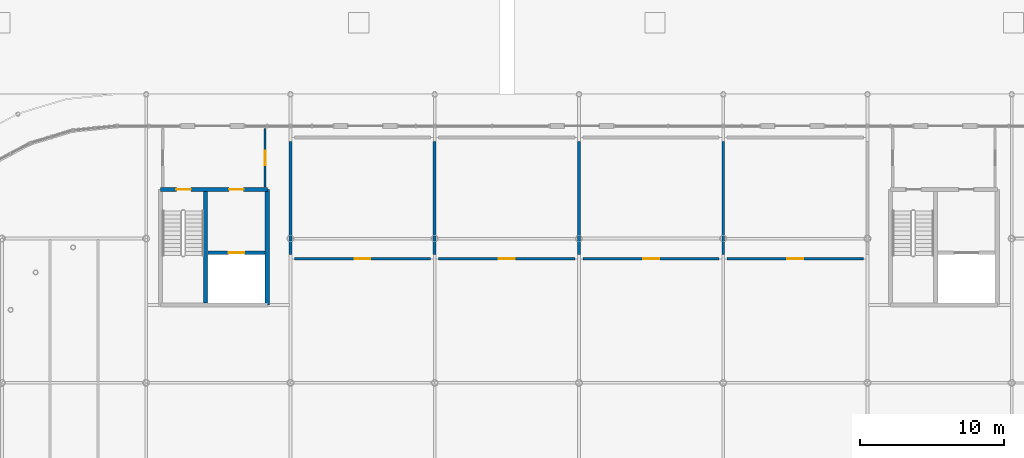
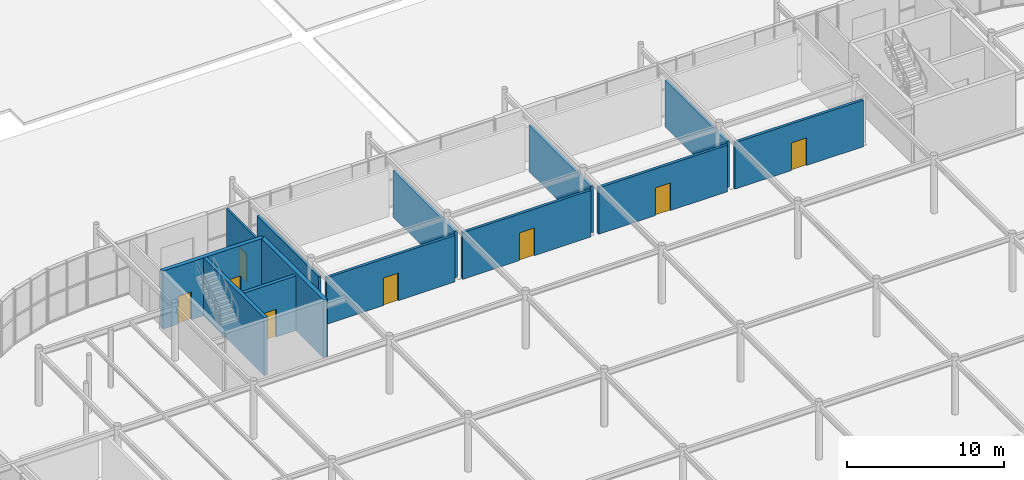
# One storey, part 89 of 119: 13 walls, 8 doors, 8 openings.
"""IFC4 building model written with IfcOpenShell, lengths in metres."""

from ifc_helpers import new_model, si_unit, derived_unit, direction, frame, frame_2d, origin, place, context, subcontext, project, spatial, rectangle, extrude, material, layer, layer_set, type_object, element, fill, save


model = new_model("IFC4")

# Units and contexts
model_context = context("Model", 3, precision=1e-05, world=origin(), true_north=direction((0.0, 1.0)))
body_context = subcontext(model_context, "Body", "Model", "MODEL_VIEW")
ifc_project = project(units=[si_unit("LENGTHUNIT", "METRE"), si_unit("AREAUNIT", "SQUARE_METRE"), si_unit("VOLUMEUNIT", "CUBIC_METRE"), si_unit("PLANEANGLEUNIT", "RADIAN"), si_unit("MASSUNIT", "GRAM", prefix="KILO"), derived_unit("THERMALTRANSMITTANCEUNIT", [(si_unit("POWERUNIT", "WATT"), 1), (si_unit("LENGTHUNIT", "METRE"), -2), (si_unit("THERMODYNAMICTEMPERATUREUNIT", "KELVIN"), -1)])], contexts=[model_context])

# Site, building, storey
site_placement = place(None, origin())
site = spatial("IfcSite", under=ifc_project, at=site_placement, CompositionType="ELEMENT")
building_placement = place(site_placement, origin())
building = spatial("IfcBuilding", under=site, at=building_placement, Name="Cinnabar Yard Market Hall", CompositionType="ELEMENT")
storey_placement = place(building_placement, origin())
storey = spatial("IfcBuildingStorey", under=building, at=storey_placement, Name="L00", CompositionType="ELEMENT", Elevation=0.0)

# Wall, opening, door
ifc_material_1 = material(Name="Fire-rated steel-stud plasterboard", Category="steel")
ifc_layer_1 = layer(ifc_material_1, 0.14990234375)
ifc_layer_set_1 = layer_set([ifc_layer_1], Name="Fire-rated steel-stud plasterboard")
wall_type_1 = type_object("IfcWallType", Name="WL-PT150", PredefinedType="PARTITIONING", material=ifc_layer_set_1)
wall_1_placement = place(storey_placement, frame((94.25, 67.580078125, 0.0), z_axis=(0.0, 0.0, 1.0), x_axis=(0.0, 1.0, 0.0)))
wall_1 = element("IfcWall", 1, at=wall_1_placement, inside=storey, type_object=wall_type_1, Name="Protected Exit Lobby C3 E", PredefinedType="PARTITIONING", context=body_context, shape_type="SweptSolid", body=[
    extrude(rectangle(XDim=4.0400390625, YDim=0.14990234375, at=frame_2d((2.02001953125, 0.0), x_axis=(1.0, 0.0))), origin(), (0.0, 0.0, 1.0), 4.199951171875),
])
opening_1_placement = place(wall_1_placement, frame((1.52001953125, 0.0, 0.0)))
opening_1 = element("IfcOpeningElement", 2, at=opening_1_placement, cuts=wall_1, Name="Opening CD-086", PredefinedType="OPENING", context=body_context, shape_type="SweptSolid", body=[
    extrude(rectangle(XDim=1.0, YDim=2.14990234375, at=frame_2d((0.5, 1.074951171875), x_axis=(1.0, 0.0))), frame((0.0, 0.0849609375, 0.0), z_axis=(0.0, -1.0, 0.0), x_axis=(1.0, 0.0, 0.0)), (0.0, 0.0, 1.0), 0.169921875),
])
ifc_material_2 = material(Name="Solid-core spotted gum timber", Category="wood")
door_type_1 = type_object("IfcDoorType", Name="DR-D05", OperationType="NOTDEFINED", PredefinedType="DOOR", material=ifc_material_2)
door_1_placement = place(opening_1_placement, origin())
door_1 = element("IfcDoor", 3, at=door_1_placement, inside=storey, type_object=door_type_1, Name="Exit Lobby Door CD-086", OperationType="SINGLE_SWING_RIGHT", OverallHeight=2.14990234375, OverallWidth=1.0, PredefinedType="DOOR", context=body_context, shape_type="SweptSolid", body=[
    extrude(rectangle(XDim=1.0, YDim=2.14990234375, at=frame_2d((0.5, 1.074951171875), x_axis=(1.0, 0.0))), frame((0.0, 0.02490234375, 0.0), z_axis=(0.0, -1.0, 0.0), x_axis=(1.0, 0.0, 0.0)), (0.0, 0.0, 1.0), 0.050048828125),
])
fill(opening_1, door_1)

ifc_material_3 = material(Name="Demountable timber-framed stall partition", Category="wood")
ifc_layer_2 = layer(ifc_material_3, 0.199951171875)
ifc_layer_set_2 = layer_set([ifc_layer_2], Name="Demountable timber-framed stall partition")
wall_type_2 = type_object("IfcWallType", Name="WL-PT200", PredefinedType="MOVABLE", material=ifc_layer_set_2)
wall_2_placement = place(storey_placement, frame((96.280029296875, 62.60009765625, 0.0), z_axis=(0.0, 0.0, 1.0), x_axis=(1.0, 0.0, 0.0)))
wall_2 = element("IfcWall", 4, at=wall_2_placement, inside=storey, type_object=wall_type_2, Name="Partition Spice and Herb Stall 05 south", PredefinedType="MOVABLE", context=body_context, shape_type="SweptSolid", body=[
    extrude(rectangle(XDim=9.43994140625, YDim=0.199951171875, at=frame_2d((4.719970703125, 0.0), x_axis=(1.0, 0.0))), origin(), (0.0, 0.0, 1.0), 3.6201171875),
])
opening_2_placement = place(wall_2_placement, frame((4.169921875, 0.0, 0.0)))
opening_2 = element("IfcOpeningElement", 5, at=opening_2_placement, cuts=wall_2, Name="Opening ID-115", PredefinedType="OPENING", context=body_context, shape_type="SweptSolid", body=[
    extrude(rectangle(XDim=1.10009765625, YDim=2.14990234375, at=frame_2d((0.550048828125, 1.074951171875), x_axis=(1.0, 0.0))), frame((0.0, 0.10986328125, 0.0), z_axis=(0.0, -1.0, 0.0), x_axis=(1.0, 0.0, 0.0)), (0.0, 0.0, 1.0), 0.219970703125),
])
ifc_material_4 = material(Name="Anodised aluminium and acoustic glass", Category="aluminium")
door_type_2 = type_object("IfcDoorType", Name="DR-D09", OperationType="NOTDEFINED", PredefinedType="DOOR", material=ifc_material_4)
door_2_placement = place(opening_2_placement, origin())
door_2 = element("IfcDoor", 6, at=door_2_placement, inside=storey, type_object=door_type_2, Name="Interior Door ID-115", OperationType="SLIDING_TO_LEFT", OverallHeight=2.14990234375, OverallWidth=1.10009765625, PredefinedType="DOOR", context=body_context, shape_type="SweptSolid", body=[
    extrude(rectangle(XDim=1.10009765625, YDim=2.14990234375, at=frame_2d((0.550048828125, 1.074951171875), x_axis=(1.0, 0.0))), frame((0.0, 0.02490234375, 0.0), z_axis=(0.0, -1.0, 0.0), x_axis=(1.0, 0.0, 0.0)), (0.0, 0.0, 1.0), 0.050048828125),
])
fill(opening_2, door_2)

# Walls
for number, where, z_axis, x_axis, name in (
    (7, (106.0, 62.8798828125, 0.0), (0.0, 0.0, 1.0), (0.0, 1.0, 0.0), "Partition Spice and Herb Stall 05 east"),
    (8, (96.0, 70.719970703125, 0.0), (0.0, 0.0, 1.0), (0.0, -1.0, 0.0), "Partition Spice and Herb Stall 05 west"),
):
    element("IfcWall", number, at=place(storey_placement, frame(where, z_axis=z_axis, x_axis=x_axis)), inside=storey, type_object=wall_type_2, Name=name, PredefinedType="MOVABLE", context=body_context, shape_type="SweptSolid", body=[
        extrude(rectangle(XDim=7.840087890625, YDim=0.199951171875, at=frame_2d((3.919921875, 0.0), x_axis=(1.0, 0.0))), origin(), (0.0, 0.0, 1.0), 3.6201171875),
    ])

# Wall, opening, door
wall_3_placement = place(storey_placement, frame((106.280029296875, 62.60009765625, 0.0), z_axis=(0.0, 0.0, 1.0), x_axis=(1.0, 0.0, 0.0)))
wall_3 = element("IfcWall", 9, at=wall_3_placement, inside=storey, type_object=wall_type_2, Name="Partition South Australian Honey and Nut Stall 06 south", PredefinedType="MOVABLE", context=body_context, shape_type="SweptSolid", body=[
    extrude(rectangle(XDim=9.43994140625, YDim=0.199951171875, at=frame_2d((4.719970703125, 0.0), x_axis=(1.0, 0.0))), origin(), (0.0, 0.0, 1.0), 3.6201171875),
])
opening_3_placement = place(wall_3_placement, frame((4.169921875, 0.0, 0.0)))
opening_3 = element("IfcOpeningElement", 10, at=opening_3_placement, cuts=wall_3, Name="Opening ID-116", PredefinedType="OPENING", context=body_context, shape_type="SweptSolid", body=[
    extrude(rectangle(XDim=1.10009765625, YDim=2.14990234375, at=frame_2d((0.550048828125, 1.074951171875), x_axis=(1.0, 0.0))), frame((0.0, 0.10986328125, 0.0), z_axis=(0.0, -1.0, 0.0), x_axis=(1.0, 0.0, 0.0)), (0.0, 0.0, 1.0), 0.219970703125),
])
door_3_placement = place(opening_3_placement, origin())
door_3 = element("IfcDoor", 11, at=door_3_placement, inside=storey, type_object=door_type_2, Name="Interior Door ID-116", OperationType="SLIDING_TO_LEFT", OverallHeight=2.14990234375, OverallWidth=1.10009765625, PredefinedType="DOOR", context=body_context, shape_type="SweptSolid", body=[
    extrude(rectangle(XDim=1.10009765625, YDim=2.14990234375, at=frame_2d((0.550048828125, 1.074951171875), x_axis=(1.0, 0.0))), frame((0.0, 0.02490234375, 0.0), z_axis=(0.0, -1.0, 0.0), x_axis=(1.0, 0.0, 0.0)), (0.0, 0.0, 1.0), 0.050048828125),
])
fill(opening_3, door_3)

# Wall
wall_4_placement = place(storey_placement, frame((116.0, 62.8798828125, 0.0), z_axis=(0.0, 0.0, 1.0), x_axis=(0.0, 1.0, 0.0)))
element("IfcWall", 12, at=wall_4_placement, inside=storey, type_object=wall_type_2, Name="Partition South Australian Honey and Nut Stall 06 east", PredefinedType="MOVABLE", context=body_context, shape_type="SweptSolid", body=[
    extrude(rectangle(XDim=7.840087890625, YDim=0.199951171875, at=frame_2d((3.919921875, 0.0), x_axis=(1.0, 0.0))), origin(), (0.0, 0.0, 1.0), 3.6201171875),
])

# Wall, opening, door
wall_5_placement = place(storey_placement, frame((116.280029296875, 62.60009765625, 0.0), z_axis=(0.0, 0.0, 1.0), x_axis=(1.0, 0.0, 0.0)))
wall_5 = element("IfcWall", 13, at=wall_5_placement, inside=storey, type_object=wall_type_2, Name="Partition Farmstead Dairy Stall 07 south", PredefinedType="MOVABLE", context=body_context, shape_type="SweptSolid", body=[
    extrude(rectangle(XDim=9.43994140625, YDim=0.199951171875, at=frame_2d((4.719970703125, 0.0), x_axis=(1.0, 0.0))), origin(), (0.0, 0.0, 1.0), 3.6201171875),
])
opening_4_placement = place(wall_5_placement, frame((4.169921875, 0.0, 0.0)))
opening_4 = element("IfcOpeningElement", 14, at=opening_4_placement, cuts=wall_5, Name="Opening ID-117", PredefinedType="OPENING", context=body_context, shape_type="SweptSolid", body=[
    extrude(rectangle(XDim=1.10009765625, YDim=2.14990234375, at=frame_2d((0.550048828125, 1.074951171875), x_axis=(1.0, 0.0))), frame((0.0, 0.10986328125, 0.0), z_axis=(0.0, -1.0, 0.0), x_axis=(1.0, 0.0, 0.0)), (0.0, 0.0, 1.0), 0.219970703125),
])
door_4_placement = place(opening_4_placement, origin())
door_4 = element("IfcDoor", 15, at=door_4_placement, inside=storey, type_object=door_type_2, Name="Interior Door ID-117", OperationType="SLIDING_TO_LEFT", OverallHeight=2.14990234375, OverallWidth=1.10009765625, PredefinedType="DOOR", context=body_context, shape_type="SweptSolid", body=[
    extrude(rectangle(XDim=1.10009765625, YDim=2.14990234375, at=frame_2d((0.550048828125, 1.074951171875), x_axis=(1.0, 0.0))), frame((0.0, 0.02490234375, 0.0), z_axis=(0.0, -1.0, 0.0), x_axis=(1.0, 0.0, 0.0)), (0.0, 0.0, 1.0), 0.050048828125),
])
fill(opening_4, door_4)

# Wall
wall_6_placement = place(storey_placement, frame((126.0, 62.8798828125, 0.0), z_axis=(0.0, 0.0, 1.0), x_axis=(0.0, 1.0, 0.0)))
element("IfcWall", 16, at=wall_6_placement, inside=storey, type_object=wall_type_2, Name="Partition Farmstead Dairy Stall 07 east", PredefinedType="MOVABLE", context=body_context, shape_type="SweptSolid", body=[
    extrude(rectangle(XDim=7.840087890625, YDim=0.199951171875, at=frame_2d((3.919921875, 0.0), x_axis=(1.0, 0.0))), origin(), (0.0, 0.0, 1.0), 3.6201171875),
])

# Wall, opening, door
wall_7_placement = place(storey_placement, frame((126.280029296875, 62.60009765625, 0.0), z_axis=(0.0, 0.0, 1.0), x_axis=(1.0, 0.0, 0.0)))
wall_7 = element("IfcWall", 17, at=wall_7_placement, inside=storey, type_object=wall_type_2, Name="Partition Seafood and Oyster Stall 08 south", PredefinedType="MOVABLE", context=body_context, shape_type="SweptSolid", body=[
    extrude(rectangle(XDim=9.43994140625, YDim=0.199951171875, at=frame_2d((4.719970703125, 0.0), x_axis=(1.0, 0.0))), origin(), (0.0, 0.0, 1.0), 3.6201171875),
])
opening_5_placement = place(wall_7_placement, frame((4.169921875, 0.0, 0.0)))
opening_5 = element("IfcOpeningElement", 18, at=opening_5_placement, cuts=wall_7, Name="Opening ID-118", PredefinedType="OPENING", context=body_context, shape_type="SweptSolid", body=[
    extrude(rectangle(XDim=1.10009765625, YDim=2.14990234375, at=frame_2d((0.550048828125, 1.074951171875), x_axis=(1.0, 0.0))), frame((0.0, 0.10986328125, 0.0), z_axis=(0.0, -1.0, 0.0), x_axis=(1.0, 0.0, 0.0)), (0.0, 0.0, 1.0), 0.219970703125),
])
door_5_placement = place(opening_5_placement, origin())
door_5 = element("IfcDoor", 19, at=door_5_placement, inside=storey, type_object=door_type_2, Name="Interior Door ID-118", OperationType="SLIDING_TO_LEFT", OverallHeight=2.14990234375, OverallWidth=1.10009765625, PredefinedType="DOOR", context=body_context, shape_type="SweptSolid", body=[
    extrude(rectangle(XDim=1.10009765625, YDim=2.14990234375, at=frame_2d((0.550048828125, 1.074951171875), x_axis=(1.0, 0.0))), frame((0.0, 0.02490234375, 0.0), z_axis=(0.0, -1.0, 0.0), x_axis=(1.0, 0.0, 0.0)), (0.0, 0.0, 1.0), 0.050048828125),
])
fill(opening_5, door_5)

# Wall
ifc_material_5 = material(Name="Concrete 40 MPa", Category="concrete")
ifc_layer_3 = layer(ifc_material_5, 0.300048828125)
ifc_layer_set_3 = layer_set([ifc_layer_3], Name="Concrete 40 MPa")
wall_type_3 = type_object("IfcWallType", Name="WL-W-CORE", PredefinedType="SHEAR", material=ifc_layer_set_3)
wall_8_placement = place(storey_placement, frame((94.39990234375, 59.39990234375, 0.0), z_axis=(0.0, 0.0, 1.0), x_axis=(0.0, 1.0, 0.0)))
element("IfcWall", 20, at=wall_8_placement, inside=storey, type_object=wall_type_3, Name="Core C3 East Shear Wall L00", PredefinedType="SHEAR", context=body_context, shape_type="SweptSolid", body=[
    extrude(rectangle(XDim=8.0, YDim=0.300048828125, at=frame_2d((4.0, 0.0), x_axis=(1.0, 0.0))), origin(), (0.0, 0.0, 1.0), 4.5),
])

# Wall, openings, doors
wall_9_placement = place(storey_placement, frame((94.39990234375, 67.39990234375, 0.0), z_axis=(0.0, 0.0, 1.0), x_axis=(-1.0, 0.0, 0.0)))
wall_9 = element("IfcWall", 21, at=wall_9_placement, inside=storey, type_object=wall_type_3, Name="Core C3 North Shear Wall L00", PredefinedType="SHEAR", context=body_context, shape_type="SweptSolid", body=[
    extrude(rectangle(XDim=7.39990234375, YDim=0.300048828125, at=frame_2d((3.699951171875, 0.0), x_axis=(1.0, 0.0))), origin(), (0.0, 0.0, 1.0), 4.5),
])
opening_6_placement = place(wall_9_placement, frame((1.64990234375, 0.0, 0.0)))
opening_6 = element("IfcOpeningElement", 22, at=opening_6_placement, cuts=wall_9, Name="Opening CD-019", PredefinedType="OPENING", context=body_context, shape_type="SweptSolid", body=[
    extrude(rectangle(XDim=1.0, YDim=2.14990234375, at=frame_2d((0.5, 1.074951171875), x_axis=(1.0, 0.0))), frame((0.0, 0.159912109375, 0.0), z_axis=(0.0, -1.0, 0.0), x_axis=(1.0, 0.0, 0.0)), (0.0, 0.0, 1.0), 0.320068359375),
])
opening_7_placement = place(wall_9_placement, frame((5.300048828125, 0.0, 0.0)))
opening_7 = element("IfcOpeningElement", 23, at=opening_7_placement, cuts=wall_9, Name="Opening CD-020", PredefinedType="OPENING", context=body_context, shape_type="SweptSolid", body=[
    extrude(rectangle(XDim=1.0, YDim=2.14990234375, at=frame_2d((0.5, 1.074951171875), x_axis=(1.0, 0.0))), frame((0.0, 0.159912109375, 0.0), z_axis=(0.0, -1.0, 0.0), x_axis=(1.0, 0.0, 0.0)), (0.0, 0.0, 1.0), 0.320068359375),
])
door_6_placement = place(opening_6_placement, origin())
door_6 = element("IfcDoor", 24, at=door_6_placement, inside=storey, type_object=door_type_1, Name="Core Door CD-019", OperationType="SINGLE_SWING_RIGHT", OverallHeight=2.14990234375, OverallWidth=1.0, PredefinedType="DOOR", context=body_context, shape_type="SweptSolid", body=[
    extrude(rectangle(XDim=1.0, YDim=2.14990234375, at=frame_2d((0.5, 1.074951171875), x_axis=(1.0, 0.0))), frame((0.0, 0.02490234375, 0.0), z_axis=(0.0, -1.0, 0.0), x_axis=(1.0, 0.0, 0.0)), (0.0, 0.0, 1.0), 0.050048828125),
])
fill(opening_6, door_6)
door_7_placement = place(opening_7_placement, origin())
door_7 = element("IfcDoor", 25, at=door_7_placement, inside=storey, type_object=door_type_1, Name="Core Door CD-020", OperationType="SINGLE_SWING_LEFT", OverallHeight=2.14990234375, OverallWidth=1.0, PredefinedType="DOOR", context=body_context, shape_type="SweptSolid", body=[
    extrude(rectangle(XDim=1.0, YDim=2.14990234375, at=frame_2d((0.5, 1.074951171875), x_axis=(1.0, 0.0))), frame((0.0, 0.02490234375, 0.0), z_axis=(0.0, -1.0, 0.0), x_axis=(1.0, 0.0, 0.0)), (0.0, 0.0, 1.0), 0.050048828125),
])
fill(opening_7, door_7)

# Wall
ifc_layer_4 = layer(ifc_material_5, 0.25)
ifc_layer_set_4 = layer_set([ifc_layer_4], Name="Concrete 40 MPa")
wall_type_4 = type_object("IfcWallType", Name="WL-W-SHAFT", PredefinedType="SHEAR", material=ifc_layer_set_4)
wall_10_placement = place(storey_placement, frame((90.114990234375, 59.550048828125, 0.0), z_axis=(0.0, 0.0, 1.0), x_axis=(0.0, 1.0, 0.0)))
element("IfcWall", 26, at=wall_10_placement, inside=storey, type_object=wall_type_4, Name="Core C3 Shaft Divider L00", PredefinedType="SHEAR", context=body_context, shape_type="SweptSolid", body=[
    extrude(rectangle(XDim=7.699951171875, YDim=0.25, at=frame_2d((3.85009765625, 0.0), x_axis=(1.0, 0.0))), origin(), (0.0, 0.0, 1.0), 4.5),
])

# Wall, opening, door
wall_11_placement = place(storey_placement, frame((90.280029296875, 63.02001953125, 0.0), z_axis=(0.0, 0.0, 1.0), x_axis=(1.0, 0.0, 0.0)))
wall_11 = element("IfcWall", 27, at=wall_11_placement, inside=storey, type_object=wall_type_4, Name="Core C3 Lift Front Wall L00", PredefinedType="SHEAR", context=body_context, shape_type="SweptSolid", body=[
    extrude(rectangle(XDim=3.969970703125, YDim=0.25, at=frame_2d((1.98486328125, 0.0), x_axis=(1.0, 0.0))), origin(), (0.0, 0.0, 1.0), 4.239990234375),
])
opening_8_placement = place(wall_11_placement, frame((1.43505859375, 0.0, 0.0)))
opening_8 = element("IfcOpeningElement", 28, at=opening_8_placement, cuts=wall_11, Name="Opening LD-LP-02-L00", PredefinedType="OPENING", context=body_context, shape_type="SweptSolid", body=[
    extrude(rectangle(XDim=1.10009765625, YDim=2.14990234375, at=frame_2d((0.550048828125, 1.074951171875), x_axis=(1.0, 0.0))), frame((0.0, 0.135009765625, 0.0), z_axis=(0.0, -1.0, 0.0), x_axis=(1.0, 0.0, 0.0)), (0.0, 0.0, 1.0), 0.27001953125),
])
ifc_material_6 = material(Name="Brushed stainless steel landing door", Category="steel")
door_type_3 = type_object("IfcDoorType", Name="DR-LD01", OperationType="NOTDEFINED", PredefinedType="DOOR", material=ifc_material_6)
door_8_placement = place(opening_8_placement, origin())
door_8 = element("IfcDoor", 29, at=door_8_placement, inside=storey, type_object=door_type_3, Name="Lift Landing Door LD-LP-02-L00", OperationType="SLIDING_TO_LEFT", OverallHeight=2.14990234375, OverallWidth=1.10009765625, PredefinedType="DOOR", context=body_context, shape_type="SweptSolid", body=[
    extrude(rectangle(XDim=1.10009765625, YDim=2.14990234375, at=frame_2d((0.550048828125, 1.074951171875), x_axis=(1.0, 0.0))), frame((0.0, 0.02490234375, 0.0), z_axis=(0.0, -1.0, 0.0), x_axis=(1.0, 0.0, 0.0)), (0.0, 0.0, 1.0), 0.050048828125),
])
fill(opening_8, door_8)

save(model, "model.ifc")
